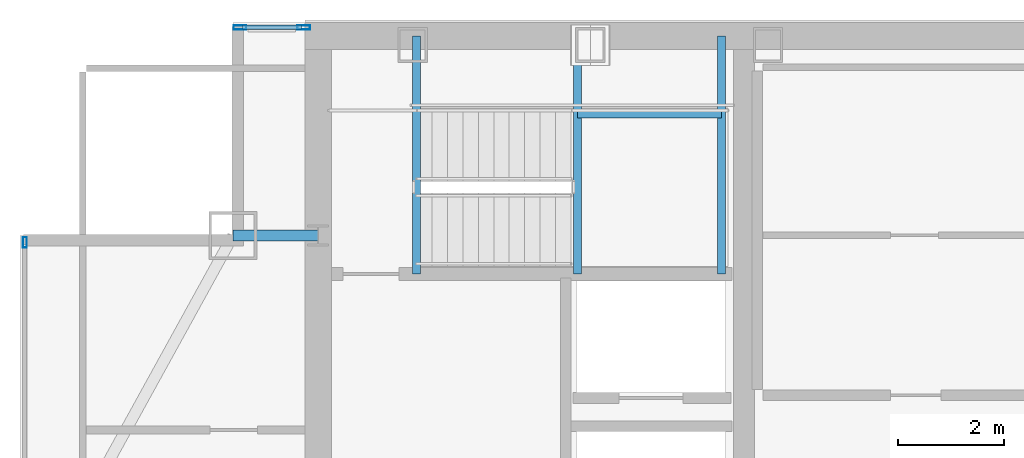
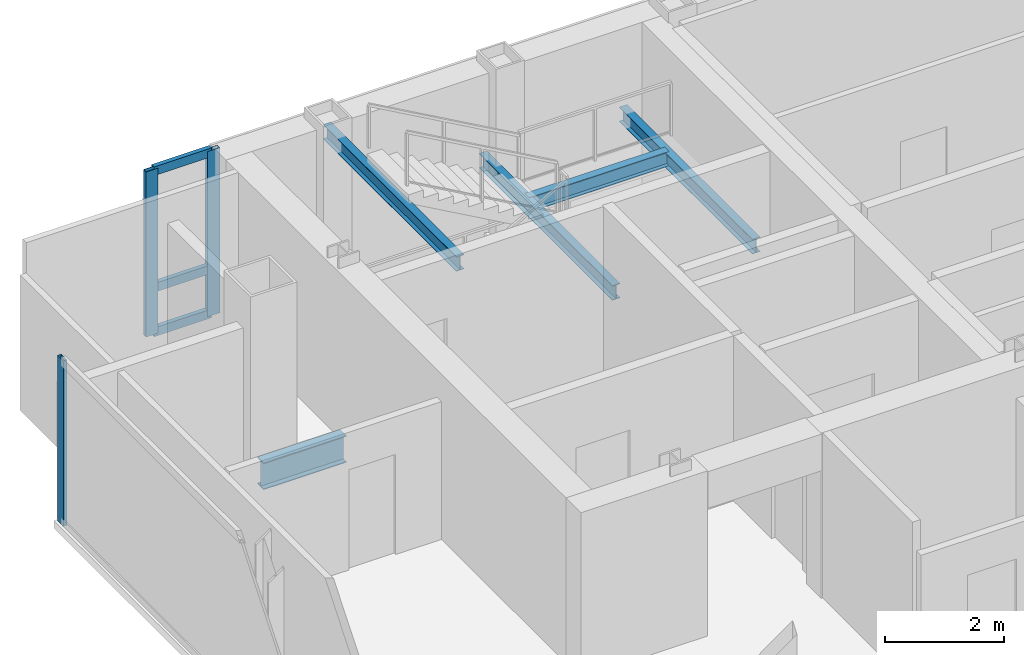
# One storey, part 16 of 24: 6 members, 5 beams, 2 elements without a shape of their own.
"""IFC4 building model written with IfcOpenShell, lengths in metres."""

from ifc_helpers import new_model, si_unit, direction, frame, origin, origin_2d, place, context, subcontext, project, spatial, hollow_rectangle, i_section, extrude, material, material_profile, profile_set, type_object, element, aggregate, save


model = new_model("IFC4")

# Units and contexts
model_context = context("Model", 3, precision=1e-05, world=origin(), true_north=direction((0.0, 1.0)))
body_context = subcontext(model_context, "Body", "Model", "MODEL_VIEW")
ifc_project = project(units=[si_unit("LENGTHUNIT", "METRE"), si_unit("AREAUNIT", "SQUARE_METRE"), si_unit("VOLUMEUNIT", "CUBIC_METRE"), si_unit("PLANEANGLEUNIT", "RADIAN"), si_unit("MASSUNIT", "GRAM", prefix="KILO")], contexts=[model_context])

# Site, building, storey
site_placement = place(None, origin())
site = spatial("IfcSite", under=ifc_project, at=site_placement, CompositionType="ELEMENT")
building_placement = place(site_placement, origin())
building = spatial("IfcBuilding", under=site, at=building_placement, Name="Khoronbel Lancet Exchange", CompositionType="ELEMENT")
storey_placement = place(building_placement, frame((0.0, 0.0, 347.0)))
storey = spatial("IfcBuildingStorey", under=building, at=storey_placement, Name="L90", CompositionType="ELEMENT", Elevation=347.0)

# Beams
ifc_material_1 = material(Name="Steel S355", Category="steel")
ifc_material_profile_1 = material_profile(ifc_material_1, i_section(OverallWidth=0.14990234375, OverallDepth=0.300048828125, WebThickness=0.007080078125, FlangeThickness=0.0107421875, at=origin_2d()), Name="IPE 300")
ifc_profile_set_1 = profile_set([ifc_material_profile_1], Name="Steel S355")
beam_type_1 = type_object("IfcBeamType", Name="BM-BJ8", PredefinedType="JOIST", material=ifc_profile_set_1)
for number, where, z_axis, x_axis, name in (
    (1, (21.320068359375, 48.97998046875, 1.449951171875), (0.0, 1.0, 0.0), (-1.0, 0.0, 0.0), "Level L90 stair ST1 landing bearer beam 1"),
    (2, (24.030029296875, 48.97998046875, 1.449951171875), (0.0, 1.0, 0.0), (-1.0, 0.0, 0.0), "Level L90 stair ST1 rear landing bearer beam 1"),
):
    element("IfcBeam", number, at=place(storey_placement, frame(where, z_axis=z_axis, x_axis=x_axis)), inside=storey, type_object=beam_type_1, Name=name, PredefinedType="JOIST", context=body_context, shape_type="SweptSolid", body=[
        extrude(i_section(OverallWidth=0.14990234375, OverallDepth=0.300048828125, WebThickness=0.007080078125, FlangeThickness=0.0107421875, at=origin_2d()), origin(), (0.0, 0.0, 1.0), 4.469970703125),
    ])
beam_1_placement = place(storey_placement, frame((21.320068359375, 51.97998046875, 1.449951171875), z_axis=(1.0, 0.0, 0.0), x_axis=(0.0, 1.0, 0.0)))
element("IfcBeam", 3, at=beam_1_placement, inside=storey, type_object=beam_type_1, Name="Level L90 stair ST1 landing cross trimmer beam 1", PredefinedType="JOIST", context=body_context, shape_type="SweptSolid", body=[
    extrude(i_section(OverallWidth=0.14990234375, OverallDepth=0.300048828125, WebThickness=0.007080078125, FlangeThickness=0.0107421875, at=origin_2d()), origin(), (0.0, 0.0, 1.0), 2.7099609375),
])
beam_2_placement = place(storey_placement, frame((18.300048828125, 48.97998046875, 3.10009765625), z_axis=(0.0, 1.0, 0.0), x_axis=(-1.0, 0.0, 0.0)))
element("IfcBeam", 4, at=beam_2_placement, inside=storey, type_object=beam_type_1, Name="Level L90 stair ST1 upper-flight arrival trimmer beam", PredefinedType="JOIST", context=body_context, shape_type="SweptSolid", body=[
    extrude(i_section(OverallWidth=0.14990234375, OverallDepth=0.300048828125, WebThickness=0.007080078125, FlangeThickness=0.0107421875, at=origin_2d()), origin(), (0.0, 0.0, 1.0), 4.469970703125),
])
ifc_material_profile_2 = material_profile(ifc_material_1, i_section(OverallWidth=0.2099609375, OverallDepth=0.550048828125, WebThickness=0.010986328125, FlangeThickness=0.01708984375, at=origin_2d()), Name="IPE 550")
ifc_profile_set_2 = profile_set([ifc_material_profile_2], Name="Steel S355")
beam_type_2 = type_object("IfcBeamType", Name="BM-BSP3", PredefinedType="SPANDREL", material=ifc_profile_set_2)
beam_3_placement = place(storey_placement, frame((14.85009765625, 49.699951171875, -0.43505859375), z_axis=(1.0, 0.0, 0.0), x_axis=(0.0, 1.0, 0.0)))
element("IfcBeam", 5, at=beam_3_placement, inside=storey, type_object=beam_type_2, Name="Level L90 north flank tie spandrel SP20", PredefinedType="SPANDREL", context=body_context, shape_type="SweptSolid", body=[
    extrude(i_section(OverallWidth=0.2099609375, OverallDepth=0.550048828125, WebThickness=0.010986328125, FlangeThickness=0.01708984375, at=origin_2d()), origin(), (0.0, 0.0, 1.0), 1.599853515625),
])

# Curtain wall, members
ifc_material_2 = material(Name="Low-E Solar Control Insulating Glass", Category="glass")
curtain_wall_type_1 = type_object("IfcCurtainWallType", Name="CW-3", PredefinedType="NOTDEFINED", material=ifc_material_2)
curtain_wall_1_placement = place(storey_placement, origin())
curtain_wall_1 = element("IfcCurtainWall", 6, at=curtain_wall_1_placement, inside=storey, type_object=curtain_wall_type_1, Name="Unitised curtain wall CW-L90-NWFLK", PredefinedType="NOTDEFINED")
ifc_material_3 = material(Name="Bronze-Anodised Aluminium 6063-T6", Category="aluminium")
ifc_material_profile_3 = material_profile(ifc_material_3, hollow_rectangle(XDim=0.0849609375, YDim=0.239990234375, WallThickness=0.006103515625, at=origin_2d()), Name="ALU MULLION 85x240")
ifc_profile_set_3 = profile_set([ifc_material_profile_3], Name="Bronze-Anodised Aluminium 6063-T6")
member_type_1 = type_object("IfcMemberType", Name="MEM-CWM1", PredefinedType="MULLION", material=ifc_profile_set_3)
member_1_placement = place(storey_placement, frame((16.177490234375, 53.610107421875, 0.0), z_axis=(0.0, 0.0, 1.0), x_axis=(0.0, -1.0, 0.0)))
member_1 = element("IfcMember", 7, at=member_1_placement, type_object=member_type_1, Name="CW3 mullion 1", PredefinedType="MULLION", context=body_context, shape_type="SweptSolid", body=[
    extrude(hollow_rectangle(XDim=0.0849609375, YDim=0.239990234375, WallThickness=0.006103515625, at=origin_2d()), origin(), (0.0, 0.0, 1.0), 3.3798828125),
])
member_2_placement = place(storey_placement, frame((14.982421875, 53.610107421875, 0.0), z_axis=(0.0, 0.0, 1.0), x_axis=(0.0, -1.0, 0.0)))
member_2 = element("IfcMember", 8, at=member_2_placement, type_object=member_type_1, Name="CW3 mullion 2", PredefinedType="MULLION", context=body_context, shape_type="SweptSolid", body=[
    extrude(hollow_rectangle(XDim=0.0849609375, YDim=0.239990234375, WallThickness=0.006103515625, at=origin_2d()), origin(), (0.0, 0.0, 1.0), 3.3798828125),
])

# Curtain wall, member
curtain_wall_type_2 = type_object("IfcCurtainWallType", Name="CW-4", PredefinedType="NOTDEFINED", material=ifc_material_2)
curtain_wall_2_placement = place(storey_placement, origin())
curtain_wall_2 = element("IfcCurtainWall", 9, at=curtain_wall_2_placement, inside=storey, type_object=curtain_wall_type_2, Name="Unitised curtain wall CW-L90-E03", PredefinedType="NOTDEFINED")
ifc_material_profile_4 = material_profile(ifc_material_3, hollow_rectangle(XDim=0.074951171875, YDim=0.199951171875, WallThickness=0.0048828125, at=origin_2d()), Name="ALU MULLION 75x200")
ifc_profile_set_4 = profile_set([ifc_material_profile_4], Name="Bronze-Anodised Aluminium 6063-T6")
member_type_2 = type_object("IfcMemberType", Name="MEM-CWM2", PredefinedType="MULLION", material=ifc_profile_set_4)
member_3_placement = place(storey_placement, frame((10.93994140625, 49.572509765625, 0.0), z_axis=(0.0, 0.0, 1.0), x_axis=(-1.0, 0.0, 0.0)))
member_3 = element("IfcMember", 10, at=member_3_placement, type_object=member_type_2, Name="CW4 mullion 3", PredefinedType="MULLION", context=body_context, shape_type="SweptSolid", body=[
    extrude(hollow_rectangle(XDim=0.074951171875, YDim=0.199951171875, WallThickness=0.0048828125, at=origin_2d()), origin(), (0.0, 0.0, 1.0), 3.3798828125),
])
aggregate(curtain_wall_2, [member_3])

# Member
ifc_material_profile_5 = material_profile(ifc_material_3, hollow_rectangle(XDim=0.0849609375, YDim=0.179931640625, WallThickness=0.0048828125, at=origin_2d()), Name="ALU TRANSOM 85x180")
ifc_profile_set_5 = profile_set([ifc_material_profile_5], Name="Bronze-Anodised Aluminium 6063-T6")
member_type_3 = type_object("IfcMemberType", Name="MEM-CWT1", PredefinedType="USERDEFINED", material=ifc_profile_set_5)
member_4_placement = place(storey_placement, frame((16.135009765625, 53.610107421875, 0.04248046875), z_axis=(-1.0, 0.0, 0.0), x_axis=(0.0, -1.0, 0.0)))
member_4 = element("IfcMember", 11, at=member_4_placement, type_object=member_type_3, Name="CW3 transom 1.1", ObjectType="TRANSOM", PredefinedType="USERDEFINED", context=body_context, shape_type="SweptSolid", body=[
    extrude(hollow_rectangle(XDim=0.0849609375, YDim=0.179931640625, WallThickness=0.0048828125, at=origin_2d()), origin(), (0.0, 0.0, 1.0), 1.110107421875),
])

member_5_placement = place(storey_placement, frame((16.135009765625, 53.610107421875, 0.949951171875), z_axis=(-1.0, 0.0, 0.0), x_axis=(0.0, -1.0, 0.0)))
member_5 = element("IfcMember", 12, at=member_5_placement, type_object=member_type_3, Name="CW3 transom 1.2", ObjectType="TRANSOM", PredefinedType="USERDEFINED", context=body_context, shape_type="SweptSolid", body=[
    extrude(hollow_rectangle(XDim=0.0849609375, YDim=0.179931640625, WallThickness=0.0048828125, at=origin_2d()), origin(), (0.0, 0.0, 1.0), 1.110107421875),
])

member_6_placement = place(storey_placement, frame((16.135009765625, 53.610107421875, 3.33740234375), z_axis=(-1.0, 0.0, 0.0), x_axis=(0.0, -1.0, 0.0)))
member_6 = element("IfcMember", 13, at=member_6_placement, type_object=member_type_3, Name="CW3 transom 1.3", ObjectType="TRANSOM", PredefinedType="USERDEFINED", context=body_context, shape_type="SweptSolid", body=[
    extrude(hollow_rectangle(XDim=0.0849609375, YDim=0.179931640625, WallThickness=0.0048828125, at=origin_2d()), origin(), (0.0, 0.0, 1.0), 1.110107421875),
])

aggregate(curtain_wall_1, [member_1, member_2, member_4, member_5, member_6])

save(model, "model.ifc")
